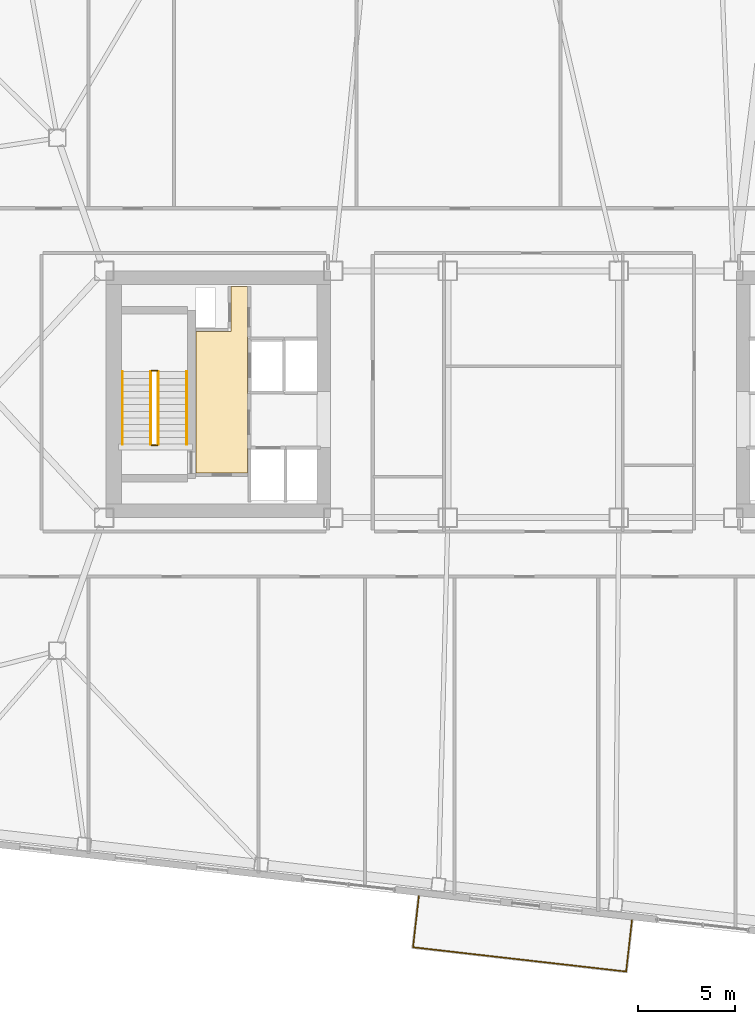
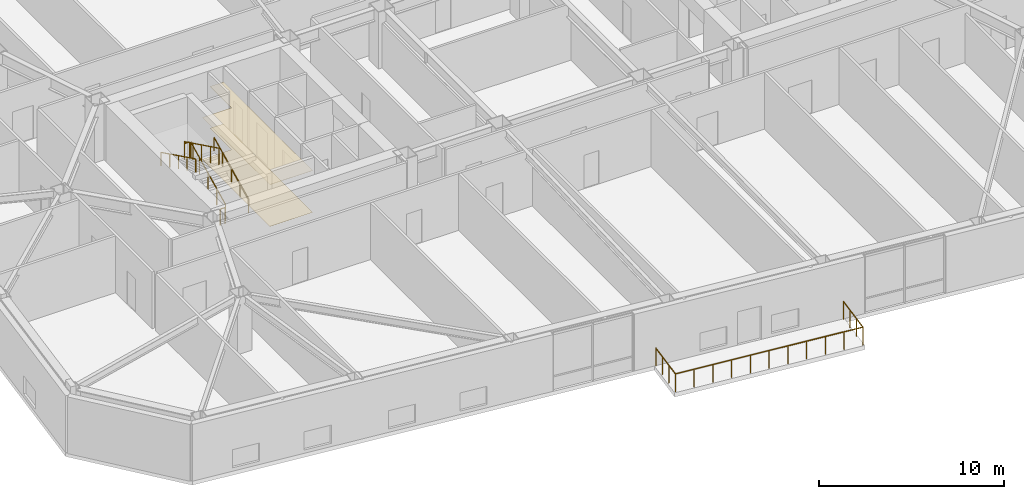
# One storey, part 20 of 21: 7 railings, 2 coverings.
"""IFC4 building model written with IfcOpenShell, lengths in metres."""

import ifcopenshell
import ifcopenshell.guid

model = None  # the IFC model being written
_history = None  # IfcOwnerHistory: only IFC2X3 demands one
_inside = {}  # id of a spatial element -> (the spatial element, [elements in it])
_under = {}  # id of a project, library or spatial element -> (it, [spatial elements below it])
_declared = {}  # id of a project -> (the project, [libraries it declares])
_typed = {}  # id of a type object -> (the type object, [elements of that type])
_made_of = {}  # id of a material, layer set ... -> (it, [elements and type objects made of it])


def new_model(schema):
    """Start an empty IFC model of exactly this schema.

    Asked for "IFC4X3", IfcOpenShell would pick the latest addendum, in which some entities
    have other attributes; the version numbers below select the first issue.
    IFC2X3 requires an IfcOwnerHistory on every rooted entity: one is made here for all.
    """
    global model, _history
    if schema == "IFC4X3":
        model = ifcopenshell.file(schema_version=(4, 3, 0, 0))
    else:
        model = ifcopenshell.file(schema=schema)
    _inside.clear()
    _under.clear()
    _declared.clear()
    _typed.clear()
    _made_of.clear()
    _history = None
    if model.schema == "IFC2X3":
        org = make("IfcOrganization", Name="unknown")
        user = make(
            "IfcPersonAndOrganization",
            ThePerson=make("IfcPerson", FamilyName="unknown"),
            TheOrganization=org,
        )
        app = make(
            "IfcApplication",
            ApplicationDeveloper=org,
            Version="unknown",
            ApplicationFullName="unknown",
            ApplicationIdentifier="unknown",
        )
        _history = make(
            "IfcOwnerHistory",
            OwningUser=user,
            OwningApplication=app,
            ChangeAction="ADDED",
            CreationDate=0,
        )
    return model


def make(cls, **values):
    """One entity of the class cls with the attributes given. An attribute that is None is left unset."""
    return model.create_entity(
        cls, **{name: value for name, value in values.items() if value is not None}
    )


def rooted(cls, **values):
    """An entity with a GlobalId (a new one), such as an element, a storey or a relation."""
    return make(cls, GlobalId=ifcopenshell.guid.new(), OwnerHistory=_history, **values)


def si_unit(unit_type, name, prefix=None):
    """IfcSIUnit, for example si_unit("LENGTHUNIT", "METRE", prefix="MILLI")."""
    return make("IfcSIUnit", UnitType=unit_type, Prefix=prefix, Name=name)


def assignment(units):
    """IfcUnitAssignment: the units of a project."""
    return None if units is None else make("IfcUnitAssignment", Units=units)


def point(xyz):
    """IfcCartesianPoint."""
    return None if xyz is None else make("IfcCartesianPoint", Coordinates=xyz)


def direction(xyz):
    """IfcDirection."""
    return None if xyz is None else make("IfcDirection", DirectionRatios=xyz)


def frame(location, z_axis=None, x_axis=None):
    """IfcAxis2Placement3D, a coordinate frame: its origin and axes. An axis left out is left unset."""
    return make(
        "IfcAxis2Placement3D",
        Location=point(location),
        Axis=direction(z_axis),
        RefDirection=direction(x_axis),
    )


def frame_2d(location, x_axis=None):
    """IfcAxis2Placement2D, a coordinate frame in the plane: its origin and x axis."""
    return make(
        "IfcAxis2Placement2D", Location=point(location), RefDirection=direction(x_axis)
    )


def origin():
    """The frame at (0, 0, 0) with its axes left unset."""
    return frame((0.0, 0.0, 0.0))


def origin_2d():
    """The frame at (0, 0) in the plane with its x axis left unset."""
    return frame_2d((0.0, 0.0))


def place(relative_to, where):
    """IfcLocalPlacement: puts the frame where relative to a parent placement (None: the world)."""
    return make(
        "IfcLocalPlacement", PlacementRelTo=relative_to, RelativePlacement=where
    )


def context(
    kind, dimensions, precision=None, world=None, true_north=None, identifier=None
):
    """IfcGeometricRepresentationContext, for example the 3D "Model" context."""
    return make(
        "IfcGeometricRepresentationContext",
        ContextIdentifier=identifier,
        ContextType=kind,
        CoordinateSpaceDimension=dimensions,
        Precision=precision,
        WorldCoordinateSystem=world,
        TrueNorth=true_north,
    )


def subcontext(parent, identifier, kind, view, scale=None):
    """IfcGeometricRepresentationSubContext, for example "Body" below "Model"."""
    return make(
        "IfcGeometricRepresentationSubContext",
        ContextIdentifier=identifier,
        ContextType=kind,
        ParentContext=parent,
        TargetScale=scale,
        TargetView=view,
    )


def project(units=None, contexts=None):
    """IfcProject with its units and contexts."""
    return rooted(
        "IfcProject",
        Name="project",
        RepresentationContexts=contexts,
        UnitsInContext=assignment(units),
    )


def spatial(cls, under=None, at=None, **own):
    """A site, building, storey or space (cls), placed at a placement, below another one or the project."""
    s = rooted(cls, ObjectPlacement=at, **own)
    if under is not None:
        _under.setdefault(under.id(), (under, []))[1].append(s)
    return s


def polyline(points):
    """IfcPolyline through the points."""
    return make("IfcPolyline", Points=[point(p) for p in points])


def profile(cls, at=None, kind="AREA", **sizes):
    """A parametric profile (cls). Its sizes go by their IFC names, for example OverallWidth=200.0."""
    return make(cls, ProfileType=kind, Position=at, **sizes)


def rectangle(**sizes):
    """IfcRectangleProfileDef."""
    return profile("IfcRectangleProfileDef", **sizes)


def outline(outer, holes=None, kind="AREA"):
    """IfcArbitraryClosedProfileDef: a profile drawn as a closed curve; with holes, ...WithVoids."""
    if holes is None:
        return make("IfcArbitraryClosedProfileDef", ProfileType=kind, OuterCurve=outer)
    return make(
        "IfcArbitraryProfileDefWithVoids",
        ProfileType=kind,
        OuterCurve=outer,
        InnerCurves=holes,
    )


def extrude(swept, where, along, depth):
    """IfcExtrudedAreaSolid: the profile swept, set in the frame where, extruded along a direction by depth."""
    return make(
        "IfcExtrudedAreaSolid",
        SweptArea=swept,
        Position=where,
        ExtrudedDirection=direction(along),
        Depth=depth,
    )


def shape(context_of_items, identifier, shape_type, items):
    """IfcShapeRepresentation: the items that make up one representation, for example the "Body"."""
    return make(
        "IfcShapeRepresentation",
        ContextOfItems=context_of_items,
        RepresentationIdentifier=identifier,
        RepresentationType=shape_type,
        Items=items,
    )


def material(Name=None, Category=None):
    """IfcMaterial."""
    return make("IfcMaterial", Name=Name, Category=Category)


def layer(
    of_material, thickness, ventilated=None, Name=None, Category=None, Priority=None
):
    """IfcMaterialLayer: one layer of a wall or slab, of a material (None: an air gap)."""
    return make(
        "IfcMaterialLayer",
        Material=of_material,
        LayerThickness=thickness,
        IsVentilated=ventilated,
        Name=Name,
        Category=Category,
        Priority=Priority,
    )


def layer_set(layers, Name=None):
    """IfcMaterialLayerSet."""
    return make("IfcMaterialLayerSet", MaterialLayers=layers, LayerSetName=Name)


def made_of(thing, what):
    """Note that an element or type object is made of a material, layer set ...; save() writes the relation."""
    if what is not None:
        _made_of.setdefault(what.id(), (what, []))[1].append(thing)
    return thing


def type_object(cls, material=None, **own):
    """A type object (cls), such as IfcWallType, which elements share."""
    return made_of(rooted(cls, **own), material)


def element(
    cls,
    number,
    at=None,
    inside=None,
    cuts=None,
    type_object=None,
    material=None,
    context=None,
    identifier="Body",
    shape_type=None,
    held_by="IfcProductDefinitionShape",
    body=None,
    shapes=None,
    **own,
):
    """One element of the class cls, such as IfcWall. Its Tag is "e" and its number.

    at: its placement. inside: the storey or other place that contains it. cuts: it is an
    opening in that element (IfcRelVoidsElement). A single representation is given by context,
    identifier, shape_type and body (its items); several are given by shapes. held_by: the class
    of the entity that holds the representations. save() writes the other relations.
    """
    e = rooted(cls, Tag="e%d" % number, ObjectPlacement=at, **own)
    if body is not None:
        shapes = [shape(context, identifier, shape_type, body)]
    if shapes is not None:
        e.Representation = make(held_by, Representations=shapes)
    if inside is not None:
        _inside.setdefault(inside.id(), (inside, []))[1].append(e)
    if cuts is not None:
        rooted(
            "IfcRelVoidsElement", RelatingBuildingElement=cuts, RelatedOpeningElement=e
        )
    if type_object is not None:
        _typed.setdefault(type_object.id(), (type_object, []))[1].append(e)
    return made_of(e, material)


def aggregate(whole, parts):
    """IfcRelAggregates: a whole, such as a stair, and the parts it consists of."""
    return rooted("IfcRelAggregates", RelatingObject=whole, RelatedObjects=parts)


def save(model, path):
    """Write the relations noted so far, then the file.

    IfcRelAggregates (storeys below a building ...), IfcRelContainedInSpatialStructure (elements
    in a storey), IfcRelDefinesByType, IfcRelAssociatesMaterial and IfcRelDeclares: one each for
    every whole, place, type object, material and project.
    """
    for whole, parts in _under.values():
        aggregate(whole, parts)
    for where, things in _inside.values():
        rooted(
            "IfcRelContainedInSpatialStructure",
            RelatedElements=things,
            RelatingStructure=where,
        )
    for kind, things in _typed.values():
        rooted("IfcRelDefinesByType", RelatedObjects=things, RelatingType=kind)
    for what, things in _made_of.values():
        rooted("IfcRelAssociatesMaterial", RelatedObjects=things, RelatingMaterial=what)
    for by, libraries in _declared.values():
        rooted("IfcRelDeclares", RelatingContext=by, RelatedDefinitions=libraries)
    model.write(path)


model = new_model("IFC4")

# Units and contexts
model_context = context("Model", 3, precision=1e-05, world=origin(), true_north=direction((0.0, 1.0)))
body_context = subcontext(model_context, "Body", "Model", "MODEL_VIEW")
ifc_project = project(units=[si_unit("LENGTHUNIT", "METRE"), si_unit("AREAUNIT", "SQUARE_METRE"), si_unit("VOLUMEUNIT", "CUBIC_METRE"), si_unit("PLANEANGLEUNIT", "RADIAN"), si_unit("MASSUNIT", "GRAM", prefix="KILO")], contexts=[model_context])

# Site, building, storey
site_placement = place(None, origin())
site = spatial("IfcSite", under=ifc_project, at=site_placement, CompositionType="ELEMENT")
building_placement = place(site_placement, origin())
building = spatial("IfcBuilding", under=site, at=building_placement, Name="Tavrogorsk Clinical Tower", CompositionType="ELEMENT")
storey_placement = place(building_placement, frame((0.0, 0.0, 109.39990234375)))
storey = spatial("IfcBuildingStorey", under=building, at=storey_placement, Name="L24", CompositionType="ELEMENT", Elevation=109.39990234375)

# Coverings
ifc_material_1 = material(Name="Antibacterial micro-perforated aluminium ceiling", Category="aluminium")
ifc_layer_1 = layer(ifc_material_1, 0.014892578125)
ifc_layer_set_1 = layer_set([ifc_layer_1], Name="Antibacterial micro-perforated aluminium ceiling")
covering_type_1 = type_object("IfcCoveringType", Name="ClinicalCeiling_15", PredefinedType="CEILING", material=ifc_layer_set_1)
covering_1_placement = place(storey_placement, frame((0.0, 0.0, 2.75)))
element("IfcCovering", 1, at=covering_1_placement, inside=storey, type_object=covering_type_1, Name="Core West Firefighting Lift Lobby Acoustic Ceiling", PredefinedType="CEILING", context=body_context, shape_type="SweptSolid", body=[
    extrude(outline(polyline([(-14.719970703125, 5.56005859375), (-14.719970703125, -4.06005859375), (-17.3798828125, -4.06005859375), (-17.3798828125, 3.239990234375), (-15.56005859375, 3.239990234375), (-15.56005859375, 5.56005859375), (-14.719970703125, 5.56005859375)])), origin(), (0.0, 0.0, 1.0), 0.01513671875),
])
ifc_material_2 = material(Name="Homogeneous medical conductive PVC flooring")
ifc_layer_2 = layer(ifc_material_2, 0.008056640625)
ifc_layer_set_2 = layer_set([ifc_layer_2], Name="Homogeneous medical conductive PVC flooring")
covering_type_2 = type_object("IfcCoveringType", Name="ResilientVinylFloor_8", PredefinedType="FLOORING", material=ifc_layer_set_2)
covering_2_placement = place(storey_placement, origin())
element("IfcCovering", 2, at=covering_2_placement, inside=storey, type_object=covering_type_2, Name="Core West Firefighting Lift Lobby Conductive Vinyl Flooring", PredefinedType="FLOORING", context=body_context, shape_type="SweptSolid", body=[
    extrude(outline(polyline([(-14.719970703125, 5.56005859375), (-14.719970703125, -4.06005859375), (-17.3798828125, -4.06005859375), (-17.3798828125, 3.239990234375), (-15.56005859375, 3.239990234375), (-15.56005859375, 5.56005859375), (-14.719970703125, 5.56005859375)])), origin(), (0.0, 0.0, 1.0), 0.008056640625),
])

# Railings
ifc_material_3 = material(Name="Galvanised steel S355 safety stairwell guard", Category="steel")
ifc_layer_3 = layer(ifc_material_3, 0.06005859375)
ifc_layer_set_3 = layer_set([ifc_layer_3], Name="Galvanised steel S355 safety stairwell guard")
railing_type_1 = type_object("IfcRailingType", Name="StairGuard_1150", PredefinedType="GUARDRAIL", material=ifc_layer_set_3)
railing_1_placement = place(storey_placement, frame((-19.300048828125, -2.574951171875, 0.166748046875)))
element("IfcRailing", 3, at=railing_1_placement, inside=storey, type_object=railing_type_1, Name="L24 ST-W stair guard 1", PredefinedType="GUARDRAIL", context=body_context, shape_type="SweptSolid", body=[
    extrude(rectangle(XDim=0.048095703125, YDim=0.048095703125, at=origin_2d()), frame((0.0, 0.0, 1.076171875), z_axis=(0.0, 0.897927990467, 0.440142390523), x_axis=(-1.0, 0.0, 0.0)), (0.0, 0.0, 1.0), 4.1650390625),
    extrude(rectangle(XDim=0.0419921875, YDim=0.0419921875, at=origin_2d()), origin(), (0.0, 0.0, 1.0), 1.052001953125),
    extrude(rectangle(XDim=0.0419921875, YDim=0.0419921875, at=origin_2d()), frame((0.0, 0.93505859375, 0.458251953125)), (0.0, 0.0, 1.0), 1.052001953125),
    extrude(rectangle(XDim=0.0419921875, YDim=0.0419921875, at=origin_2d()), frame((0.0, 1.8701171875, 0.91650390625)), (0.0, 0.0, 1.0), 1.052001953125),
    extrude(rectangle(XDim=0.0419921875, YDim=0.0419921875, at=origin_2d()), frame((0.0, 2.804931640625, 1.375)), (0.0, 0.0, 1.0), 1.052001953125),
    extrude(rectangle(XDim=0.0419921875, YDim=0.0419921875, at=origin_2d()), frame((0.0, 3.739990234375, 1.833251953125)), (0.0, 0.0, 1.0), 1.052001953125),
])
railing_2_placement = place(storey_placement, frame((-19.35009765625, 1.215087890625, 2.0)))
element("IfcRailing", 4, at=railing_2_placement, inside=storey, type_object=railing_type_1, Name="L24 ST-W stair guard 2", PredefinedType="GUARDRAIL", context=body_context, shape_type="SweptSolid", body=[
    extrude(rectangle(XDim=0.048095703125, YDim=0.048095703125, at=origin_2d()), frame((0.0, 0.0, 1.076171875), z_axis=(-1.0, 0.0, 0.0), x_axis=(0.0, -1.0, 0.0)), (0.0, 0.0, 1.0), 0.2998046875),
    extrude(rectangle(XDim=0.0419921875, YDim=0.0419921875, at=origin_2d()), origin(), (0.0, 0.0, 1.0), 1.052001953125),
    extrude(rectangle(XDim=0.0419921875, YDim=0.0419921875, at=origin_2d()), frame((-0.2998046875, 0.0, 0.0)), (0.0, 0.0, 1.0), 1.052001953125),
])
railing_3_placement = place(storey_placement, frame((-19.699951171875, 1.1650390625, 2.166748046875)))
element("IfcRailing", 5, at=railing_3_placement, inside=storey, type_object=railing_type_1, Name="L24 ST-W stair guard 3", PredefinedType="GUARDRAIL", context=body_context, shape_type="SweptSolid", body=[
    extrude(rectangle(XDim=0.048095703125, YDim=0.048095703125, at=origin_2d()), frame((0.0, 0.0, 1.076171875), z_axis=(0.0, -0.897927990467, 0.440142390523), x_axis=(1.0, 0.0, 0.0)), (0.0, 0.0, 1.0), 4.1650390625),
    extrude(rectangle(XDim=0.0419921875, YDim=0.0419921875, at=origin_2d()), origin(), (0.0, 0.0, 1.0), 1.052001953125),
    extrude(rectangle(XDim=0.0419921875, YDim=0.0419921875, at=origin_2d()), frame((0.0, -0.93505859375, 0.458251953125)), (0.0, 0.0, 1.0), 1.052001953125),
    extrude(rectangle(XDim=0.0419921875, YDim=0.0419921875, at=origin_2d()), frame((0.0, -1.8701171875, 0.91650390625)), (0.0, 0.0, 1.0), 1.052001953125),
    extrude(rectangle(XDim=0.0419921875, YDim=0.0419921875, at=origin_2d()), frame((0.0, -2.804931640625, 1.375)), (0.0, 0.0, 1.0), 1.052001953125),
    extrude(rectangle(XDim=0.0419921875, YDim=0.0419921875, at=origin_2d()), frame((0.0, -3.739990234375, 1.833251953125)), (0.0, 0.0, 1.0), 1.052001953125),
])
railing_4_placement = place(storey_placement, frame((-19.35009765625, -2.625, 0.0)))
element("IfcRailing", 6, at=railing_4_placement, inside=storey, type_object=railing_type_1, Name="L24 ST-W stair guard 4", PredefinedType="GUARDRAIL", context=body_context, shape_type="SweptSolid", body=[
    extrude(rectangle(XDim=0.048095703125, YDim=0.048095703125, at=origin_2d()), frame((0.0, 0.0, 1.076171875), z_axis=(-1.0, 0.0, 0.0), x_axis=(0.0, -1.0, 0.0)), (0.0, 0.0, 1.0), 0.2998046875),
    extrude(rectangle(XDim=0.0419921875, YDim=0.0419921875, at=origin_2d()), origin(), (0.0, 0.0, 1.0), 1.052001953125),
    extrude(rectangle(XDim=0.0419921875, YDim=0.0419921875, at=origin_2d()), frame((-0.2998046875, 0.0, 0.0)), (0.0, 0.0, 1.0), 1.052001953125),
])
ifc_material_4 = material(Name="Stainless steel AISI 304 tubular handrail", Category="steel")
ifc_layer_4 = layer(ifc_material_4, 0.050048828125)
ifc_layer_set_4 = layer_set([ifc_layer_4], Name="Stainless steel AISI 304 tubular handrail")
railing_type_2 = type_object("IfcRailingType", Name="StairHandrail_920", PredefinedType="HANDRAIL", material=ifc_layer_set_4)
railing_5_placement = place(storey_placement, frame((-17.85009765625, -2.574951171875, 0.166748046875)))
element("IfcRailing", 7, at=railing_5_placement, inside=storey, type_object=railing_type_2, Name="L24 ST-W stair handrail 1", PredefinedType="HANDRAIL", context=body_context, shape_type="SweptSolid", body=[
    extrude(rectangle(XDim=0.048095703125, YDim=0.048095703125, at=origin_2d()), frame((0.0, 0.0, 0.8759765625), z_axis=(0.0, 0.897927990467, 0.440142390523), x_axis=(-1.0, 0.0, 0.0)), (0.0, 0.0, 1.0), 4.1650390625),
    extrude(rectangle(XDim=0.0419921875, YDim=0.0419921875, at=origin_2d()), origin(), (0.0, 0.0, 1.0), 0.851806640625),
    extrude(rectangle(XDim=0.0419921875, YDim=0.0419921875, at=origin_2d()), frame((0.0, 0.93505859375, 0.458251953125)), (0.0, 0.0, 1.0), 0.851806640625),
    extrude(rectangle(XDim=0.0419921875, YDim=0.0419921875, at=origin_2d()), frame((0.0, 1.8701171875, 0.91650390625)), (0.0, 0.0, 1.0), 0.851806640625),
    extrude(rectangle(XDim=0.0419921875, YDim=0.0419921875, at=origin_2d()), frame((0.0, 2.804931640625, 1.375)), (0.0, 0.0, 1.0), 0.851806640625),
    extrude(rectangle(XDim=0.0419921875, YDim=0.0419921875, at=origin_2d()), frame((0.0, 3.739990234375, 1.833251953125)), (0.0, 0.0, 1.0), 0.851806640625),
])
railing_6_placement = place(storey_placement, frame((-21.14990234375, 1.1650390625, 2.166748046875)))
element("IfcRailing", 8, at=railing_6_placement, inside=storey, type_object=railing_type_2, Name="L24 ST-W stair handrail 2", PredefinedType="HANDRAIL", context=body_context, shape_type="SweptSolid", body=[
    extrude(rectangle(XDim=0.048095703125, YDim=0.048095703125, at=origin_2d()), frame((0.0, 0.0, 0.8759765625), z_axis=(0.0, -0.897927990467, 0.440142390523), x_axis=(1.0, 0.0, 0.0)), (0.0, 0.0, 1.0), 4.1650390625),
    extrude(rectangle(XDim=0.0419921875, YDim=0.0419921875, at=origin_2d()), origin(), (0.0, 0.0, 1.0), 0.851806640625),
    extrude(rectangle(XDim=0.0419921875, YDim=0.0419921875, at=origin_2d()), frame((0.0, -0.93505859375, 0.458251953125)), (0.0, 0.0, 1.0), 0.851806640625),
    extrude(rectangle(XDim=0.0419921875, YDim=0.0419921875, at=origin_2d()), frame((0.0, -1.8701171875, 0.91650390625)), (0.0, 0.0, 1.0), 0.851806640625),
    extrude(rectangle(XDim=0.0419921875, YDim=0.0419921875, at=origin_2d()), frame((0.0, -2.804931640625, 1.375)), (0.0, 0.0, 1.0), 0.851806640625),
    extrude(rectangle(XDim=0.0419921875, YDim=0.0419921875, at=origin_2d()), frame((0.0, -3.739990234375, 1.833251953125)), (0.0, 0.0, 1.0), 0.851806640625),
])
ifc_material_5 = material(Name="Stainless steel AISI 316 and laminated glass balustrade", Category="steel")
ifc_layer_5 = layer(ifc_material_5, 0.090087890625)
ifc_layer_set_5 = layer_set([ifc_layer_5], Name="Stainless steel AISI 316 and laminated glass balustrade")
railing_type_3 = type_object("IfcRailingType", Name="TerraceGuardRailing_1200", PredefinedType="BALUSTRADE", material=ifc_layer_set_5)
railing_7_placement = place(storey_placement, frame((-5.894287109375, -25.835693359375, 0.0)))
element("IfcRailing", 9, at=railing_7_placement, inside=storey, type_object=railing_type_3, Name="L24 Spiralling Terrace Balustrade GD-01", PredefinedType="BALUSTRADE", context=body_context, shape_type="SweptSolid", body=[
    extrude(rectangle(XDim=0.048095703125, YDim=0.048095703125, at=origin_2d()), frame((0.0, 0.0, 1.17578125), z_axis=(-0.113141219415, -0.993578917082, 0.0), x_axis=(0.993578917082, -0.113141219415, 0.0)), (0.0, 0.0, 1.0), 2.64990234375),
    extrude(rectangle(XDim=0.048095703125, YDim=0.048095703125, at=origin_2d()), frame((-0.2998046875, -2.6328125, 1.17578125), z_axis=(0.993571887876, -0.113202931159, 0.0), x_axis=(0.113202931159, 0.993571887876, 0.0)), (0.0, 0.0, 1.0), 11.0400390625),
    extrude(rectangle(XDim=0.048095703125, YDim=0.048095703125, at=origin_2d()), frame((10.669189453125, -3.882568359375, 1.17578125), z_axis=(0.113141219415, 0.993578917082, 0.0), x_axis=(-0.993578917082, 0.113141219415, 0.0)), (0.0, 0.0, 1.0), 2.64990234375),
    extrude(rectangle(XDim=0.0419921875, YDim=0.0419921875, at=origin_2d()), origin(), (0.0, 0.0, 1.0), 1.15185546875),
    extrude(rectangle(XDim=0.0419921875, YDim=0.0419921875, at=origin_2d()), frame((-0.099853515625, -0.877685546875, 0.0)), (0.0, 0.0, 1.0), 1.15185546875),
    extrude(rectangle(XDim=0.0419921875, YDim=0.0419921875, at=origin_2d()), frame((-0.199951171875, -1.755126953125, 0.0)), (0.0, 0.0, 1.0), 1.15185546875),
    extrude(rectangle(XDim=0.0419921875, YDim=0.0419921875, at=origin_2d()), frame((-0.2998046875, -2.6328125, 0.0)), (0.0, 0.0, 1.0), 1.15185546875),
    extrude(rectangle(XDim=0.0419921875, YDim=0.0419921875, at=origin_2d()), frame((0.797119140625, -2.7578125, 0.0)), (0.0, 0.0, 1.0), 1.15185546875),
    extrude(rectangle(XDim=0.0419921875, YDim=0.0419921875, at=origin_2d()), frame((1.89404296875, -2.8828125, 0.0)), (0.0, 0.0, 1.0), 1.15185546875),
    extrude(rectangle(XDim=0.0419921875, YDim=0.0419921875, at=origin_2d()), frame((2.990966796875, -3.0078125, 0.0)), (0.0, 0.0, 1.0), 1.15185546875),
    extrude(rectangle(XDim=0.0419921875, YDim=0.0419921875, at=origin_2d()), frame((4.087890625, -3.1328125, 0.0)), (0.0, 0.0, 1.0), 1.15185546875),
    extrude(rectangle(XDim=0.0419921875, YDim=0.0419921875, at=origin_2d()), frame((5.1845703125, -3.2578125, 0.0)), (0.0, 0.0, 1.0), 1.15185546875),
    extrude(rectangle(XDim=0.0419921875, YDim=0.0419921875, at=origin_2d()), frame((6.281494140625, -3.382568359375, 0.0)), (0.0, 0.0, 1.0), 1.15185546875),
    extrude(rectangle(XDim=0.0419921875, YDim=0.0419921875, at=origin_2d()), frame((7.37841796875, -3.507568359375, 0.0)), (0.0, 0.0, 1.0), 1.15185546875),
    extrude(rectangle(XDim=0.0419921875, YDim=0.0419921875, at=origin_2d()), frame((8.475341796875, -3.632568359375, 0.0)), (0.0, 0.0, 1.0), 1.15185546875),
    extrude(rectangle(XDim=0.0419921875, YDim=0.0419921875, at=origin_2d()), frame((9.572265625, -3.757568359375, 0.0)), (0.0, 0.0, 1.0), 1.15185546875),
    extrude(rectangle(XDim=0.0419921875, YDim=0.0419921875, at=origin_2d()), frame((10.669189453125, -3.882568359375, 0.0)), (0.0, 0.0, 1.0), 1.15185546875),
    extrude(rectangle(XDim=0.0419921875, YDim=0.0419921875, at=origin_2d()), frame((10.76904296875, -3.0048828125, 0.0)), (0.0, 0.0, 1.0), 1.15185546875),
    extrude(rectangle(XDim=0.0419921875, YDim=0.0419921875, at=origin_2d()), frame((10.869140625, -2.12744140625, 0.0)), (0.0, 0.0, 1.0), 1.15185546875),
    extrude(rectangle(XDim=0.0419921875, YDim=0.0419921875, at=origin_2d()), frame((10.968994140625, -1.249755859375, 0.0)), (0.0, 0.0, 1.0), 1.15185546875),
])

save(model, "model.ifc")
